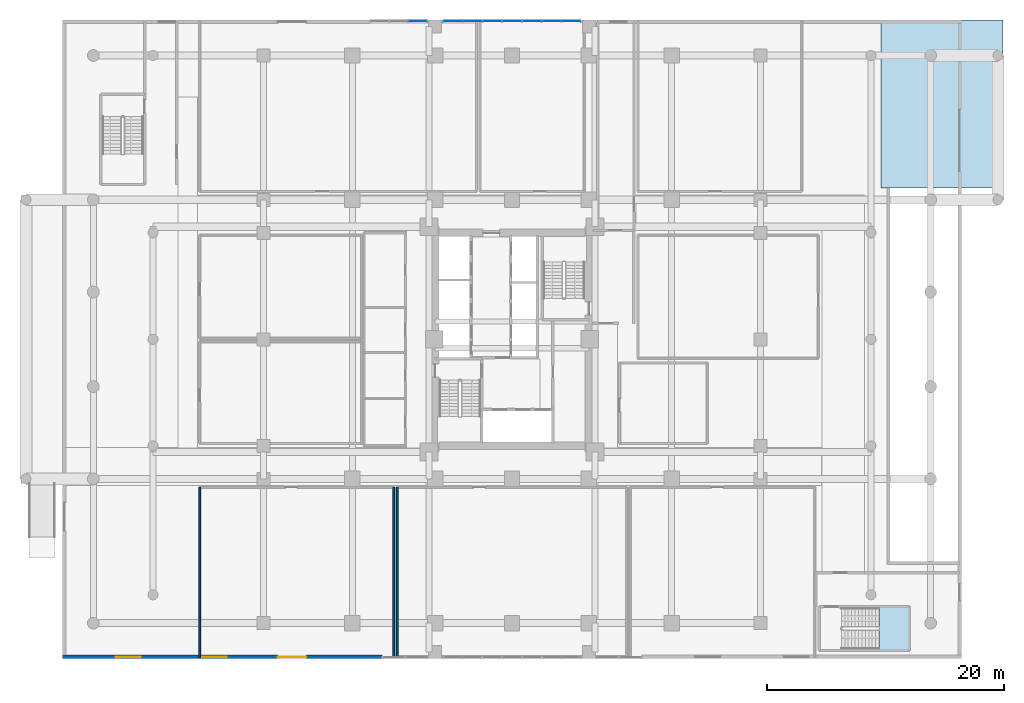
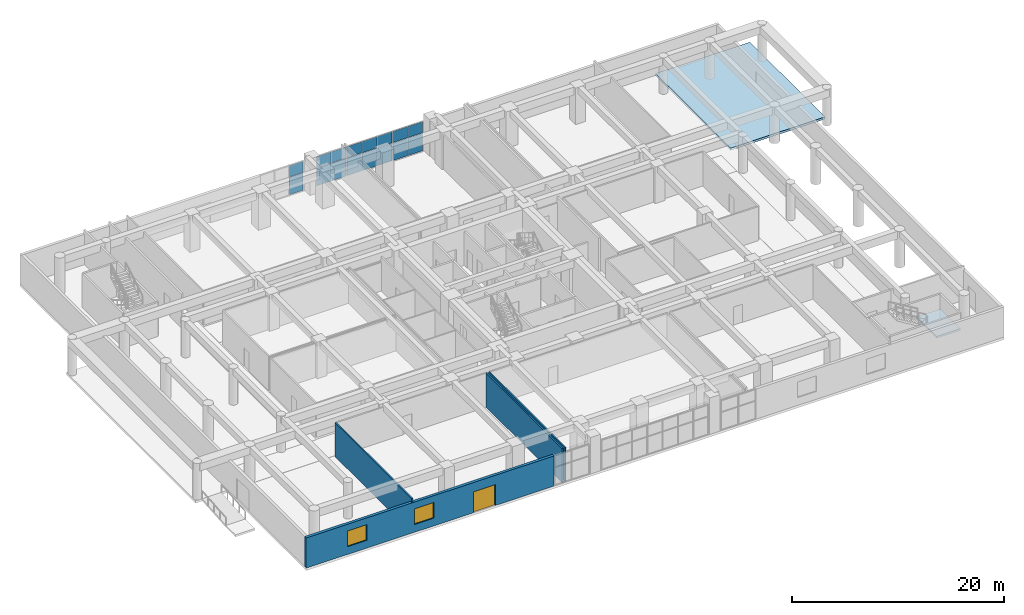
# One storey, part 12 of 24: 16 plates, 4 walls, 2 slabs, 2 windows, 1 door, 3 openings, 3 elements without a shape of their own.
"""IFC4 building model written with IfcOpenShell, lengths in metres."""

import ifcopenshell
import ifcopenshell.guid

model = None  # the IFC model being written
_history = None  # IfcOwnerHistory: only IFC2X3 demands one
_inside = {}  # id of a spatial element -> (the spatial element, [elements in it])
_under = {}  # id of a project, library or spatial element -> (it, [spatial elements below it])
_declared = {}  # id of a project -> (the project, [libraries it declares])
_typed = {}  # id of a type object -> (the type object, [elements of that type])
_made_of = {}  # id of a material, layer set ... -> (it, [elements and type objects made of it])


def new_model(schema):
    """Start an empty IFC model of exactly this schema.

    Asked for "IFC4X3", IfcOpenShell would pick the latest addendum, in which some entities
    have other attributes; the version numbers below select the first issue.
    IFC2X3 requires an IfcOwnerHistory on every rooted entity: one is made here for all.
    """
    global model, _history
    if schema == "IFC4X3":
        model = ifcopenshell.file(schema_version=(4, 3, 0, 0))
    else:
        model = ifcopenshell.file(schema=schema)
    _inside.clear()
    _under.clear()
    _declared.clear()
    _typed.clear()
    _made_of.clear()
    _history = None
    if model.schema == "IFC2X3":
        org = make("IfcOrganization", Name="unknown")
        user = make(
            "IfcPersonAndOrganization",
            ThePerson=make("IfcPerson", FamilyName="unknown"),
            TheOrganization=org,
        )
        app = make(
            "IfcApplication",
            ApplicationDeveloper=org,
            Version="unknown",
            ApplicationFullName="unknown",
            ApplicationIdentifier="unknown",
        )
        _history = make(
            "IfcOwnerHistory",
            OwningUser=user,
            OwningApplication=app,
            ChangeAction="ADDED",
            CreationDate=0,
        )
    return model


def make(cls, **values):
    """One entity of the class cls with the attributes given. An attribute that is None is left unset."""
    return model.create_entity(
        cls, **{name: value for name, value in values.items() if value is not None}
    )


def rooted(cls, **values):
    """An entity with a GlobalId (a new one), such as an element, a storey or a relation."""
    return make(cls, GlobalId=ifcopenshell.guid.new(), OwnerHistory=_history, **values)


def si_unit(unit_type, name, prefix=None):
    """IfcSIUnit, for example si_unit("LENGTHUNIT", "METRE", prefix="MILLI")."""
    return make("IfcSIUnit", UnitType=unit_type, Prefix=prefix, Name=name)


def assignment(units):
    """IfcUnitAssignment: the units of a project."""
    return None if units is None else make("IfcUnitAssignment", Units=units)


def point(xyz):
    """IfcCartesianPoint."""
    return None if xyz is None else make("IfcCartesianPoint", Coordinates=xyz)


def direction(xyz):
    """IfcDirection."""
    return None if xyz is None else make("IfcDirection", DirectionRatios=xyz)


def frame(location, z_axis=None, x_axis=None):
    """IfcAxis2Placement3D, a coordinate frame: its origin and axes. An axis left out is left unset."""
    return make(
        "IfcAxis2Placement3D",
        Location=point(location),
        Axis=direction(z_axis),
        RefDirection=direction(x_axis),
    )


def frame_2d(location, x_axis=None):
    """IfcAxis2Placement2D, a coordinate frame in the plane: its origin and x axis."""
    return make(
        "IfcAxis2Placement2D", Location=point(location), RefDirection=direction(x_axis)
    )


def origin():
    """The frame at (0, 0, 0) with its axes left unset."""
    return frame((0.0, 0.0, 0.0))


def origin_2d():
    """The frame at (0, 0) in the plane with its x axis left unset."""
    return frame_2d((0.0, 0.0))


def place(relative_to, where):
    """IfcLocalPlacement: puts the frame where relative to a parent placement (None: the world)."""
    return make(
        "IfcLocalPlacement", PlacementRelTo=relative_to, RelativePlacement=where
    )


def context(
    kind, dimensions, precision=None, world=None, true_north=None, identifier=None
):
    """IfcGeometricRepresentationContext, for example the 3D "Model" context."""
    return make(
        "IfcGeometricRepresentationContext",
        ContextIdentifier=identifier,
        ContextType=kind,
        CoordinateSpaceDimension=dimensions,
        Precision=precision,
        WorldCoordinateSystem=world,
        TrueNorth=true_north,
    )


def subcontext(parent, identifier, kind, view, scale=None):
    """IfcGeometricRepresentationSubContext, for example "Body" below "Model"."""
    return make(
        "IfcGeometricRepresentationSubContext",
        ContextIdentifier=identifier,
        ContextType=kind,
        ParentContext=parent,
        TargetScale=scale,
        TargetView=view,
    )


def project(units=None, contexts=None):
    """IfcProject with its units and contexts."""
    return rooted(
        "IfcProject",
        Name="project",
        RepresentationContexts=contexts,
        UnitsInContext=assignment(units),
    )


def spatial(cls, under=None, at=None, **own):
    """A site, building, storey or space (cls), placed at a placement, below another one or the project."""
    s = rooted(cls, ObjectPlacement=at, **own)
    if under is not None:
        _under.setdefault(under.id(), (under, []))[1].append(s)
    return s


def polyline(points):
    """IfcPolyline through the points."""
    return make("IfcPolyline", Points=[point(p) for p in points])


def profile(cls, at=None, kind="AREA", **sizes):
    """A parametric profile (cls). Its sizes go by their IFC names, for example OverallWidth=200.0."""
    return make(cls, ProfileType=kind, Position=at, **sizes)


def rectangle(**sizes):
    """IfcRectangleProfileDef."""
    return profile("IfcRectangleProfileDef", **sizes)


def outline(outer, holes=None, kind="AREA"):
    """IfcArbitraryClosedProfileDef: a profile drawn as a closed curve; with holes, ...WithVoids."""
    if holes is None:
        return make("IfcArbitraryClosedProfileDef", ProfileType=kind, OuterCurve=outer)
    return make(
        "IfcArbitraryProfileDefWithVoids",
        ProfileType=kind,
        OuterCurve=outer,
        InnerCurves=holes,
    )


def extrude(swept, where, along, depth):
    """IfcExtrudedAreaSolid: the profile swept, set in the frame where, extruded along a direction by depth."""
    return make(
        "IfcExtrudedAreaSolid",
        SweptArea=swept,
        Position=where,
        ExtrudedDirection=direction(along),
        Depth=depth,
    )


def shape(context_of_items, identifier, shape_type, items):
    """IfcShapeRepresentation: the items that make up one representation, for example the "Body"."""
    return make(
        "IfcShapeRepresentation",
        ContextOfItems=context_of_items,
        RepresentationIdentifier=identifier,
        RepresentationType=shape_type,
        Items=items,
    )


def source(mapping_origin, context_of_items, identifier, shape_type, items):
    """IfcRepresentationMap: a shape defined once, which mapped items show again and again."""
    return make(
        "IfcRepresentationMap",
        MappingOrigin=mapping_origin,
        MappedRepresentation=shape(context_of_items, identifier, shape_type, items),
    )


def transform(
    local_origin,
    x_axis=None,
    y_axis=None,
    z_axis=None,
    scale=None,
    scale2=None,
    scale3=None,
    uniform=True,
):
    """IfcCartesianTransformationOperator3D, or its non-uniform kind. x_axis, y_axis, z_axis: its Axis1, 2, 3."""
    if uniform:
        return make(
            "IfcCartesianTransformationOperator3D",
            Axis1=direction(x_axis),
            Axis2=direction(y_axis),
            LocalOrigin=point(local_origin),
            Scale=scale,
            Axis3=direction(z_axis),
        )
    return make(
        "IfcCartesianTransformationOperator3DnonUniform",
        Axis1=direction(x_axis),
        Axis2=direction(y_axis),
        LocalOrigin=point(local_origin),
        Scale=scale,
        Axis3=direction(z_axis),
        Scale2=scale2,
        Scale3=scale3,
    )


def mapped(mapping_source, mapping_target):
    """IfcMappedItem: shows the shape of a source again, moved by a transform."""
    return make(
        "IfcMappedItem", MappingSource=mapping_source, MappingTarget=mapping_target
    )


def material(Name=None, Category=None):
    """IfcMaterial."""
    return make("IfcMaterial", Name=Name, Category=Category)


def layer(
    of_material, thickness, ventilated=None, Name=None, Category=None, Priority=None
):
    """IfcMaterialLayer: one layer of a wall or slab, of a material (None: an air gap)."""
    return make(
        "IfcMaterialLayer",
        Material=of_material,
        LayerThickness=thickness,
        IsVentilated=ventilated,
        Name=Name,
        Category=Category,
        Priority=Priority,
    )


def layer_set(layers, Name=None):
    """IfcMaterialLayerSet."""
    return make("IfcMaterialLayerSet", MaterialLayers=layers, LayerSetName=Name)


def made_of(thing, what):
    """Note that an element or type object is made of a material, layer set ...; save() writes the relation."""
    if what is not None:
        _made_of.setdefault(what.id(), (what, []))[1].append(thing)
    return thing


def type_object(cls, material=None, **own):
    """A type object (cls), such as IfcWallType, which elements share."""
    return made_of(rooted(cls, **own), material)


def element(
    cls,
    number,
    at=None,
    inside=None,
    cuts=None,
    type_object=None,
    material=None,
    context=None,
    identifier="Body",
    shape_type=None,
    held_by="IfcProductDefinitionShape",
    body=None,
    shapes=None,
    **own,
):
    """One element of the class cls, such as IfcWall. Its Tag is "e" and its number.

    at: its placement. inside: the storey or other place that contains it. cuts: it is an
    opening in that element (IfcRelVoidsElement). A single representation is given by context,
    identifier, shape_type and body (its items); several are given by shapes. held_by: the class
    of the entity that holds the representations. save() writes the other relations.
    """
    e = rooted(cls, Tag="e%d" % number, ObjectPlacement=at, **own)
    if body is not None:
        shapes = [shape(context, identifier, shape_type, body)]
    if shapes is not None:
        e.Representation = make(held_by, Representations=shapes)
    if inside is not None:
        _inside.setdefault(inside.id(), (inside, []))[1].append(e)
    if cuts is not None:
        rooted(
            "IfcRelVoidsElement", RelatingBuildingElement=cuts, RelatedOpeningElement=e
        )
    if type_object is not None:
        _typed.setdefault(type_object.id(), (type_object, []))[1].append(e)
    return made_of(e, material)


def fill(opening, filler):
    """IfcRelFillsElement: the door or window that sits in an opening."""
    return rooted(
        "IfcRelFillsElement",
        RelatingOpeningElement=opening,
        RelatedBuildingElement=filler,
    )


def aggregate(whole, parts):
    """IfcRelAggregates: a whole, such as a stair, and the parts it consists of."""
    return rooted("IfcRelAggregates", RelatingObject=whole, RelatedObjects=parts)


def save(model, path):
    """Write the relations noted so far, then the file.

    IfcRelAggregates (storeys below a building ...), IfcRelContainedInSpatialStructure (elements
    in a storey), IfcRelDefinesByType, IfcRelAssociatesMaterial and IfcRelDeclares: one each for
    every whole, place, type object, material and project.
    """
    for whole, parts in _under.values():
        aggregate(whole, parts)
    for where, things in _inside.values():
        rooted(
            "IfcRelContainedInSpatialStructure",
            RelatedElements=things,
            RelatingStructure=where,
        )
    for kind, things in _typed.values():
        rooted("IfcRelDefinesByType", RelatedObjects=things, RelatingType=kind)
    for what, things in _made_of.values():
        rooted("IfcRelAssociatesMaterial", RelatedObjects=things, RelatingMaterial=what)
    for by, libraries in _declared.values():
        rooted("IfcRelDeclares", RelatingContext=by, RelatedDefinitions=libraries)
    model.write(path)


model = new_model("IFC4")

# Units and contexts
model_context = context("Model", 3, precision=1e-05, world=origin(), true_north=direction((0.0, 1.0)))
body_context = subcontext(model_context, "Body", "Model", "MODEL_VIEW")
ifc_project = project(units=[si_unit("LENGTHUNIT", "METRE"), si_unit("AREAUNIT", "SQUARE_METRE"), si_unit("VOLUMEUNIT", "CUBIC_METRE"), si_unit("PLANEANGLEUNIT", "RADIAN"), si_unit("MASSUNIT", "GRAM", prefix="KILO")], contexts=[model_context])

# Site, building, storey
site_placement = place(None, origin())
site = spatial("IfcSite", under=ifc_project, at=site_placement, CompositionType="ELEMENT")
building_placement = place(site_placement, origin())
building = spatial("IfcBuilding", under=site, at=building_placement, Name="Saelheon Loggia Tower", CompositionType="ELEMENT")
storey_placement = place(building_placement, origin())
storey = spatial("IfcBuildingStorey", under=building, at=storey_placement, Name="L00", CompositionType="ELEMENT", Elevation=0.0)

# Slab
ifc_material_1 = material(Name="Concrete C40/50", Category="concrete")
ifc_layer_1 = layer(ifc_material_1, 0.25)
ifc_layer_set_1 = layer_set([ifc_layer_1], Name="Concrete C40/50")
slab_type_1 = type_object("IfcSlabType", Name="Slab_Apron_Ext_250", PredefinedType="FLOOR", material=ifc_layer_set_1)
slab_1_placement = place(storey_placement, frame((0.0, 0.0, -0.25)))
element("IfcSlab", 1, at=slab_1_placement, inside=storey, type_object=slab_type_1, Name="L00 East Vehicle Ramp and Arrival Apron", PredefinedType="FLOOR", context=body_context, shape_type="SweptSolid", body=[
    extrude(outline(polyline([(69.199951171875, 39.800048828125), (79.5, 39.800048828125), (79.5, 54.0), (69.199951171875, 54.0), (69.199951171875, 39.800048828125)])), origin(), (0.0, 0.0, 1.0), 0.25),
])

# Stair, slab
stair_type = type_object("IfcStairType", Name="Stair_Escape_Podium", PredefinedType="HALF_TURN_STAIR", material=ifc_material_1)
stair_placement = place(storey_placement, origin())
stair = element("IfcStair", 2, at=stair_placement, inside=storey, type_object=stair_type, Name="L00 Podium Escape Stair ST4", PredefinedType="HALF_TURN_STAIR")
ifc_layer_2 = layer(ifc_material_1, 0.199951171875)
ifc_layer_set_2 = layer_set([ifc_layer_2], Name="Concrete C40/50")
slab_type_2 = type_object("IfcSlabType", Name="Slab_StairLanding_ST4", PredefinedType="LANDING", material=ifc_layer_set_2)
slab_2_placement = place(storey_placement, frame((0.0, 0.0, 1.89990234375)))
slab_2 = element("IfcSlab", 3, at=slab_2_placement, type_object=slab_type_2, Name="ST4 landing 1", PredefinedType="LANDING", context=body_context, shape_type="SweptSolid", body=[
    extrude(outline(polyline([(69.0400390625, 0.659912109375), (71.639892578125, 0.659912109375), (71.639892578125, 4.419921875), (69.0400390625, 4.419921875), (69.0400390625, 0.659912109375)])), origin(), (0.0, 0.0, 1.0), 0.2001953125),
])
aggregate(stair, [slab_2])

# Curtain wall, plates
ifc_material_2 = material(Name="Aluminium 6063-T6 and Laminated Low-E Glass", Category="aluminium")
ifc_layer_3 = layer(ifc_material_2, 0.199951171875)
ifc_layer_set_3 = layer_set([ifc_layer_3], Name="Aluminium 6063-T6 and Laminated Low-E Glass")
curtain_wall_type = type_object("IfcCurtainWallType", Name="CW_PodiumEntry", PredefinedType="NOTDEFINED", material=ifc_layer_set_3)
curtain_wall_1_placement = place(storey_placement, origin())
curtain_wall_1 = element("IfcCurtainWall", 4, at=curtain_wall_1_placement, inside=storey, type_object=curtain_wall_type, Name="L00 Resident Lobby Curtain Wall 2", PredefinedType="NOTDEFINED")
ifc_material_3 = material(Name="Triple Low-E Laminated Glazing", Category="glass")
ifc_layer_4 = layer(ifc_material_3, 0.035888671875)
ifc_layer_set_4 = layer_set([ifc_layer_4], Name="Triple Low-E Laminated Glazing")
plate_type = type_object("IfcPlateType", Name="CW_PodiumEntry_Panel", PredefinedType="CURTAIN_PANEL", material=ifc_layer_set_4)
shared_shape_1 = source(origin(), body_context, "Body", "SweptSolid", [
    extrude(rectangle(XDim=1.56640625, YDim=0.035888671875, at=origin_2d()), origin(), (0.0, 0.0, 1.0), 1.9951171875),
])
plate_1_placement = place(storey_placement, frame((33.003173828125, 53.89990234375, 0.06982421875), z_axis=(0.0, 0.0, 1.0), x_axis=(1.0, 0.0, 0.0)))
plate_1 = element("IfcPlate", 5, at=plate_1_placement, type_object=plate_type, Name="CW2 panel 1.1", PredefinedType="CURTAIN_PANEL", context=body_context, shape_type="MappedRepresentation", body=[
    mapped(shared_shape_1, transform((0.0, 0.0, 0.0), scale=1.0)),
])
plate_2_placement = place(storey_placement, frame((42.996826171875, 53.89990234375, 0.06982421875), z_axis=(0.0, 0.0, 1.0), x_axis=(1.0, 0.0, 0.0)))
plate_2 = element("IfcPlate", 6, at=plate_2_placement, type_object=plate_type, Name="CW2 panel 7.1", PredefinedType="CURTAIN_PANEL", context=body_context, shape_type="MappedRepresentation", body=[
    mapped(shared_shape_1, transform((0.0, 0.0, 0.0), scale=1.0)),
])
shared_shape_2 = source(origin(), body_context, "Body", "SweptSolid", [
    extrude(rectangle(XDim=1.56640625, YDim=0.035888671875, at=origin_2d()), origin(), (0.0, 0.0, 1.0), 1.27490234375),
])
plate_3_placement = place(storey_placement, frame((33.003173828125, 53.89990234375, 2.135009765625), z_axis=(0.0, 0.0, 1.0), x_axis=(1.0, 0.0, 0.0)))
plate_3 = element("IfcPlate", 7, at=plate_3_placement, type_object=plate_type, Name="CW2 panel 1.2", PredefinedType="CURTAIN_PANEL", context=body_context, shape_type="MappedRepresentation", body=[
    mapped(shared_shape_2, transform((0.0, 0.0, 0.0), scale=1.0)),
])
plate_4_placement = place(storey_placement, frame((42.996826171875, 53.89990234375, 2.135009765625), z_axis=(0.0, 0.0, 1.0), x_axis=(1.0, 0.0, 0.0)))
plate_4 = element("IfcPlate", 8, at=plate_4_placement, type_object=plate_type, Name="CW2 panel 7.2", PredefinedType="CURTAIN_PANEL", context=body_context, shape_type="MappedRepresentation", body=[
    mapped(shared_shape_2, transform((0.0, 0.0, 0.0), scale=1.0)),
])
shared_shape_3 = source(origin(), body_context, "Body", "SweptSolid", [
    extrude(rectangle(XDim=1.601318359375, YDim=0.035888671875, at=origin_2d()), origin(), (0.0, 0.0, 1.0), 1.9951171875),
])
plate_5_placement = place(storey_placement, frame((34.6572265625, 53.89990234375, 0.06982421875), z_axis=(0.0, 0.0, 1.0), x_axis=(1.0, 0.0, 0.0)))
plate_5 = element("IfcPlate", 9, at=plate_5_placement, type_object=plate_type, Name="CW2 panel 2.1", PredefinedType="CURTAIN_PANEL", context=body_context, shape_type="MappedRepresentation", body=[
    mapped(shared_shape_3, transform((0.0, 0.0, 0.0), scale=1.0)),
])
plate_6_placement = place(storey_placement, frame((36.32861328125, 53.89990234375, 0.06982421875), z_axis=(0.0, 0.0, 1.0), x_axis=(1.0, 0.0, 0.0)))
plate_6 = element("IfcPlate", 10, at=plate_6_placement, type_object=plate_type, Name="CW2 panel 3.1", PredefinedType="CURTAIN_PANEL", context=body_context, shape_type="MappedRepresentation", body=[
    mapped(shared_shape_3, transform((0.0, 0.0, 0.0), scale=1.0)),
])
plate_7_placement = place(storey_placement, frame((38.0, 53.89990234375, 0.06982421875), z_axis=(0.0, 0.0, 1.0), x_axis=(1.0, 0.0, 0.0)))
plate_7 = element("IfcPlate", 11, at=plate_7_placement, type_object=plate_type, Name="CW2 panel 4.1", PredefinedType="CURTAIN_PANEL", context=body_context, shape_type="MappedRepresentation", body=[
    mapped(shared_shape_3, transform((0.0, 0.0, 0.0), scale=1.0)),
])
plate_8_placement = place(storey_placement, frame((39.67138671875, 53.89990234375, 0.06982421875), z_axis=(0.0, 0.0, 1.0), x_axis=(1.0, 0.0, 0.0)))
plate_8 = element("IfcPlate", 12, at=plate_8_placement, type_object=plate_type, Name="CW2 panel 5.1", PredefinedType="CURTAIN_PANEL", context=body_context, shape_type="MappedRepresentation", body=[
    mapped(shared_shape_3, transform((0.0, 0.0, 0.0), scale=1.0)),
])
plate_9_placement = place(storey_placement, frame((41.3427734375, 53.89990234375, 0.06982421875), z_axis=(0.0, 0.0, 1.0), x_axis=(1.0, 0.0, 0.0)))
plate_9 = element("IfcPlate", 13, at=plate_9_placement, type_object=plate_type, Name="CW2 panel 6.1", PredefinedType="CURTAIN_PANEL", context=body_context, shape_type="MappedRepresentation", body=[
    mapped(shared_shape_3, transform((0.0, 0.0, 0.0), scale=1.0)),
])
shared_shape_4 = source(origin(), body_context, "Body", "SweptSolid", [
    extrude(rectangle(XDim=1.601318359375, YDim=0.035888671875, at=origin_2d()), origin(), (0.0, 0.0, 1.0), 1.27490234375),
])
plate_10_placement = place(storey_placement, frame((34.6572265625, 53.89990234375, 2.135009765625), z_axis=(0.0, 0.0, 1.0), x_axis=(1.0, 0.0, 0.0)))
plate_10 = element("IfcPlate", 14, at=plate_10_placement, type_object=plate_type, Name="CW2 panel 2.2", PredefinedType="CURTAIN_PANEL", context=body_context, shape_type="MappedRepresentation", body=[
    mapped(shared_shape_4, transform((0.0, 0.0, 0.0), scale=1.0)),
])
plate_11_placement = place(storey_placement, frame((36.32861328125, 53.89990234375, 2.135009765625), z_axis=(0.0, 0.0, 1.0), x_axis=(1.0, 0.0, 0.0)))
plate_11 = element("IfcPlate", 15, at=plate_11_placement, type_object=plate_type, Name="CW2 panel 3.2", PredefinedType="CURTAIN_PANEL", context=body_context, shape_type="MappedRepresentation", body=[
    mapped(shared_shape_4, transform((0.0, 0.0, 0.0), scale=1.0)),
])
plate_12_placement = place(storey_placement, frame((38.0, 53.89990234375, 2.135009765625), z_axis=(0.0, 0.0, 1.0), x_axis=(1.0, 0.0, 0.0)))
plate_12 = element("IfcPlate", 16, at=plate_12_placement, type_object=plate_type, Name="CW2 panel 4.2", PredefinedType="CURTAIN_PANEL", context=body_context, shape_type="MappedRepresentation", body=[
    mapped(shared_shape_4, transform((0.0, 0.0, 0.0), scale=1.0)),
])
plate_13_placement = place(storey_placement, frame((39.67138671875, 53.89990234375, 2.135009765625), z_axis=(0.0, 0.0, 1.0), x_axis=(1.0, 0.0, 0.0)))
plate_13 = element("IfcPlate", 17, at=plate_13_placement, type_object=plate_type, Name="CW2 panel 5.2", PredefinedType="CURTAIN_PANEL", context=body_context, shape_type="MappedRepresentation", body=[
    mapped(shared_shape_4, transform((0.0, 0.0, 0.0), scale=1.0)),
])
plate_14_placement = place(storey_placement, frame((41.3427734375, 53.89990234375, 2.135009765625), z_axis=(0.0, 0.0, 1.0), x_axis=(1.0, 0.0, 0.0)))
plate_14 = element("IfcPlate", 18, at=plate_14_placement, type_object=plate_type, Name="CW2 panel 6.2", PredefinedType="CURTAIN_PANEL", context=body_context, shape_type="MappedRepresentation", body=[
    mapped(shared_shape_4, transform((0.0, 0.0, 0.0), scale=1.0)),
])
aggregate(curtain_wall_1, [plate_1, plate_3, plate_5, plate_10, plate_6, plate_11, plate_7, plate_12, plate_8, plate_13, plate_9, plate_14, plate_2, plate_4])

curtain_wall_2_placement = place(storey_placement, origin())
curtain_wall_2 = element("IfcCurtainWall", 19, at=curtain_wall_2_placement, inside=storey, type_object=curtain_wall_type, Name="L00 Resident Lobby Curtain Wall 1", PredefinedType="NOTDEFINED")
shared_shape_5 = source(origin(), body_context, "Body", "SweptSolid", [
    extrude(rectangle(XDim=1.51171875, YDim=0.035888671875, at=origin_2d()), origin(), (0.0, 0.0, 1.0), 1.9951171875),
])
plate_15_placement = place(storey_placement, frame((30.024169921875, 53.89990234375, 0.06982421875), z_axis=(0.0, 0.0, 1.0), x_axis=(1.0, 0.0, 0.0)))
plate_15 = element("IfcPlate", 20, at=plate_15_placement, type_object=plate_type, Name="CW2 panel 3.1", PredefinedType="CURTAIN_PANEL", context=body_context, shape_type="MappedRepresentation", body=[
    mapped(shared_shape_5, transform((0.0, 0.0, 0.0), scale=1.0)),
])
shared_shape_6 = source(origin(), body_context, "Body", "SweptSolid", [
    extrude(rectangle(XDim=1.51171875, YDim=0.035888671875, at=origin_2d()), origin(), (0.0, 0.0, 1.0), 1.27490234375),
])
plate_16_placement = place(storey_placement, frame((30.024169921875, 53.89990234375, 2.135009765625), z_axis=(0.0, 0.0, 1.0), x_axis=(1.0, 0.0, 0.0)))
plate_16 = element("IfcPlate", 21, at=plate_16_placement, type_object=plate_type, Name="CW2 panel 3.2", PredefinedType="CURTAIN_PANEL", context=body_context, shape_type="MappedRepresentation", body=[
    mapped(shared_shape_6, transform((0.0, 0.0, 0.0), scale=1.0)),
])
aggregate(curtain_wall_2, [plate_15, plate_16])

# Wall, openings, door, windows
ifc_material_4 = material(Name="Architectural Precast Concrete C40/50", Category="concrete")
ifc_layer_5 = layer(ifc_material_4, 0.300048828125)
ifc_layer_set_5 = layer_set([ifc_layer_5], Name="Architectural Precast Concrete C40/50")
wall_type_1 = type_object("IfcWallType", Name="Wall_Ext_Podium_300", PredefinedType="SOLIDWALL", material=ifc_layer_set_5)
wall_placement = place(storey_placement, frame((0.0, 0.14990234375, 0.0), z_axis=(0.0, 0.0, 1.0), x_axis=(1.0, 0.0, 0.0)))
wall = element("IfcWall", 22, at=wall_placement, inside=storey, type_object=wall_type_1, Name="L00 Podium South-West Precast Wall", PredefinedType="SOLIDWALL", context=body_context, shape_type="SweptSolid", body=[
    extrude(rectangle(XDim=27.0, YDim=0.300048828125, at=frame_2d((13.5, 0.0))), origin(), (0.0, 0.0, 1.0), 3.47998046875),
])
opening_1_placement = place(wall_placement, frame((20.599853515625, 0.0, 0.0), z_axis=(0.0, 0.0, 1.0), x_axis=(-1.0, 0.0, 0.0)))
opening_1 = element("IfcOpeningElement", 23, at=opening_1_placement, cuts=wall, Name="Opening DME-1", PredefinedType="OPENING", context=body_context, shape_type="SweptSolid", body=[
    extrude(rectangle(XDim=2.39990234375, YDim=2.39990234375, at=frame_2d((1.199951171875, 1.199951171875))), frame((0.0, 0.162109375, 0.0), z_axis=(0.0, -1.0, 0.0), x_axis=(1.0, 0.0, 0.0)), (0.0, 0.0, 1.0), 0.323974609375),
])
opening_2_placement = place(wall_placement, frame((4.5, 0.0, 0.89990234375)))
opening_2 = element("IfcOpeningElement", 24, at=opening_2_placement, cuts=wall, Name="Opening WN-05", PredefinedType="OPENING", context=body_context, shape_type="SweptSolid", body=[
    extrude(rectangle(XDim=2.10009765625, YDim=1.800048828125, at=frame_2d((1.050048828125, 0.89990234375))), frame((0.0, 0.162109375, 0.0), z_axis=(0.0, -1.0, 0.0), x_axis=(1.0, 0.0, 0.0)), (0.0, 0.0, 1.0), 0.323974609375),
])
opening_3_placement = place(wall_placement, frame((11.800048828125, 0.0, 0.89990234375)))
opening_3 = element("IfcOpeningElement", 25, at=opening_3_placement, cuts=wall, Name="Opening WN-05", PredefinedType="OPENING", context=body_context, shape_type="SweptSolid", body=[
    extrude(rectangle(XDim=2.10009765625, YDim=1.800048828125, at=frame_2d((1.050048828125, 0.89990234375))), frame((0.0, 0.162109375, 0.0), z_axis=(0.0, -1.0, 0.0), x_axis=(1.0, 0.0, 0.0)), (0.0, 0.0, 1.0), 0.323974609375),
])
ifc_material_5 = material(Name="Anodised Aluminium Entrance Door", Category="aluminium")
door_type = type_object("IfcDoorType", Name="Door_MainEntry_Double_2400", OperationType="DOUBLE_SWING_LEFT", PredefinedType="DOOR", material=ifc_material_5)
shared_shape_7 = source(origin(), body_context, "Body", "SweptSolid", [
    extrude(rectangle(XDim=2.39990234375, YDim=2.39990234375, at=frame_2d((1.199951171875, 1.199951171875))), frame((0.0, 0.02490234375, 0.0), z_axis=(0.0, -1.0, 0.0), x_axis=(1.0, 0.0, 0.0)), (0.0, 0.0, 1.0), 0.050048828125),
])
door_placement = place(opening_1_placement, origin())
door = element("IfcDoor", 26, at=door_placement, inside=storey, type_object=door_type, Name="Outpatient Health Centre Main Entrance", OperationType="DOUBLE_SWING_LEFT", OverallHeight=2.39990234375, OverallWidth=2.39990234375, PredefinedType="DOOR", context=body_context, shape_type="MappedRepresentation", body=[
    mapped(shared_shape_7, transform((0.0, 0.0, 0.0), scale=1.0)),
])
fill(opening_1, door)
ifc_material_6 = material(Name="Thermal-Break Aluminium and Triple Low-E Glass", Category="aluminium")
window_type = type_object("IfcWindowType", Name="Win_Clinic_2100x1800", PartitioningType="SINGLE_PANEL", PredefinedType="WINDOW", material=ifc_material_6)
shared_shape_8 = source(origin(), body_context, "Body", "SweptSolid", [
    extrude(rectangle(XDim=2.10009765625, YDim=1.800048828125, at=frame_2d((1.050048828125, 0.89990234375))), frame((0.0, 0.030029296875, 0.0), z_axis=(0.0, -1.0, 0.0), x_axis=(1.0, 0.0, 0.0)), (0.0, 0.0, 1.0), 0.06005859375),
])
window_1_placement = place(opening_2_placement, origin())
window_1 = element("IfcWindow", 27, at=window_1_placement, inside=storey, type_object=window_type, Name="L00 Pharmacy Window 1", OverallHeight=1.800048828125, OverallWidth=2.10009765625, PartitioningType="SINGLE_PANEL", PredefinedType="WINDOW", context=body_context, shape_type="MappedRepresentation", body=[
    mapped(shared_shape_8, transform((0.0, 0.0, 0.0), scale=1.0)),
])
fill(opening_2, window_1)
window_2_placement = place(opening_3_placement, origin())
window_2 = element("IfcWindow", 28, at=window_2_placement, inside=storey, type_object=window_type, Name="L00 Pharmacy Window 2", OverallHeight=1.800048828125, OverallWidth=2.10009765625, PartitioningType="SINGLE_PANEL", PredefinedType="WINDOW", context=body_context, shape_type="MappedRepresentation", body=[
    mapped(shared_shape_8, transform((0.0, 0.0, 0.0), scale=1.0)),
])
fill(opening_3, window_2)

# Walls
ifc_material_7 = material(Name="Lightweight Autoclaved Aerated Concrete Block and Acoustic Gypsum", Category="concrete")
ifc_layer_6 = layer(ifc_material_7, 0.14990234375)
ifc_layer_set_6 = layer_set([ifc_layer_6], Name="Lightweight Autoclaved Aerated Concrete Block and Acoustic Gypsum")
wall_type_2 = type_object("IfcWallType", Name="Wall_Part_150", PredefinedType="PARTITIONING", material=ifc_layer_set_6)
for number, where, z_axis, x_axis, name in (
    (29, (11.60009765625, 0.10009765625, 0.0), (0.0, 0.0, 1.0), (0.0, 1.0, 0.0), "PW-L00-PHARM-W"),
    (30, (28.0, 0.10009765625, 0.0), (0.0, 0.0, 1.0), (0.0, 1.0, 0.0), "PW-L00-PHARM-E"),
    (31, (28.300048828125, 0.10009765625, 0.0), (0.0, 0.0, 1.0), (0.0, 1.0, 0.0), "PW-L00-TRIAGE-W"),
):
    element("IfcWall", number, at=place(storey_placement, frame(where, z_axis=z_axis, x_axis=x_axis)), inside=storey, type_object=wall_type_2, Name=name, PredefinedType="PARTITIONING", context=body_context, shape_type="SweptSolid", body=[
        extrude(rectangle(XDim=14.39990234375, YDim=0.14990234375, at=frame_2d((7.199951171875, 0.0))), origin(), (0.0, 0.0, 1.0), 3.919921875),
    ])

save(model, "model.ifc")
